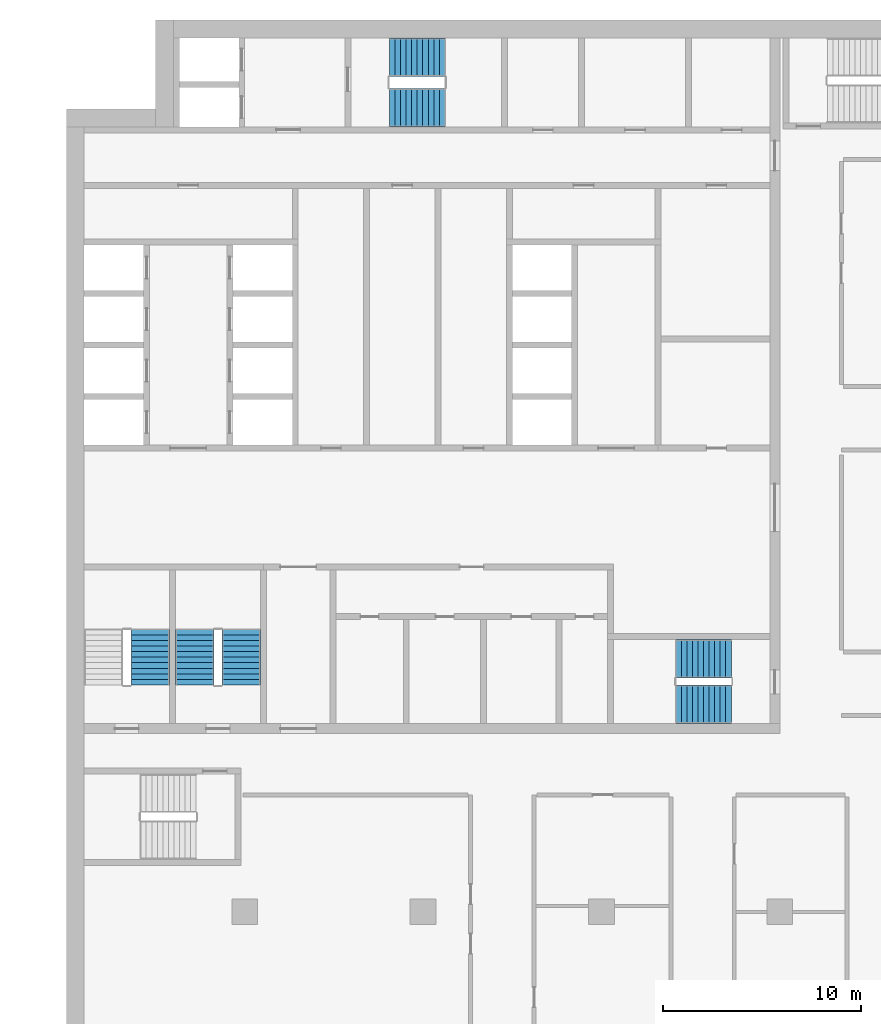
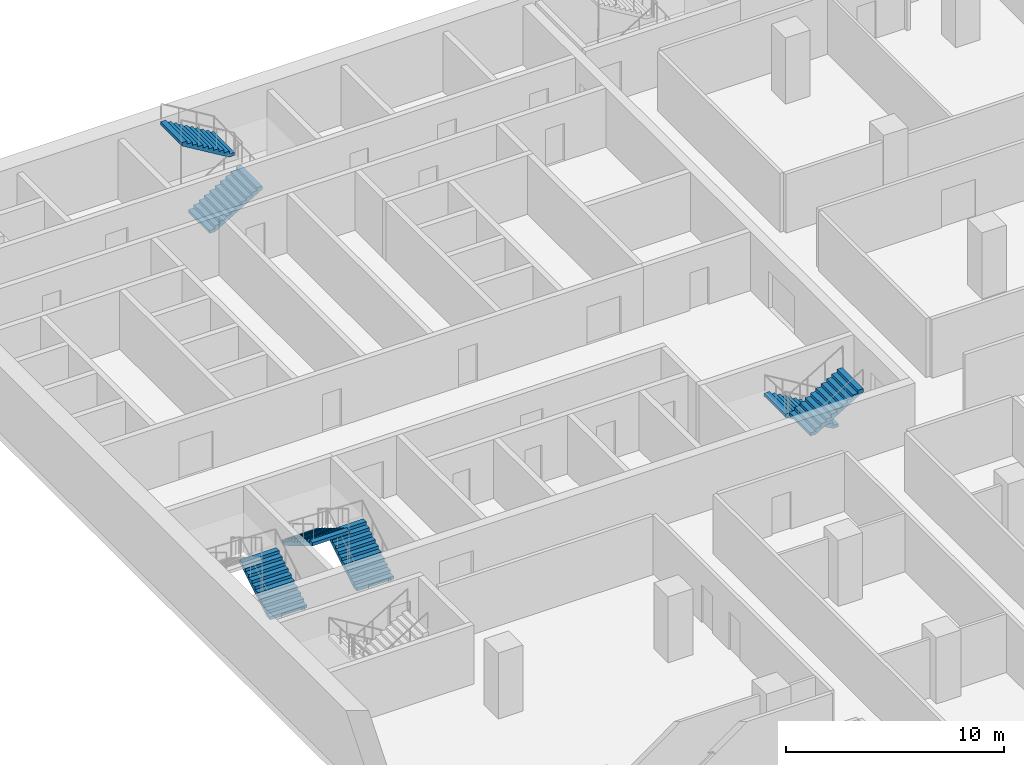
# One storey, part 17 of 23: 7 stair flights, 4 elements without a shape of their own.
"""IFC4 building model written with IfcOpenShell, lengths in metres."""

from ifc_helpers import new_model, si_unit, direction, frame, origin, place, context, subcontext, project, spatial, polyline, outline, extrude, material, type_object, element, aggregate, save


model = new_model("IFC4")

# Units and contexts
model_context = context("Model", 3, precision=1e-05, world=origin(), true_north=direction((0.0, 1.0)))
body_context = subcontext(model_context, "Body", "Model", "MODEL_VIEW")
ifc_project = project(units=[si_unit("LENGTHUNIT", "METRE"), si_unit("AREAUNIT", "SQUARE_METRE"), si_unit("VOLUMEUNIT", "CUBIC_METRE"), si_unit("PLANEANGLEUNIT", "RADIAN"), si_unit("MASSUNIT", "GRAM", prefix="KILO")], contexts=[model_context])

# Site, building, storey
site_placement = place(None, origin())
site = spatial("IfcSite", under=ifc_project, at=site_placement, CompositionType="ELEMENT")
building_placement = place(site_placement, origin())
building = spatial("IfcBuilding", under=site, at=building_placement, Name="Hunhe Ridgeline Campus", CompositionType="ELEMENT")
storey_placement = place(building_placement, frame((0.0, 0.0, 121.800048828125)))
storey = spatial("IfcBuildingStorey", under=building, at=storey_placement, Name="L30", CompositionType="ELEMENT", Elevation=121.800048828125)

# Stair, stair flights
ifc_material = material(Name="Concrete C40", Category="concrete")
stair_type = type_object("IfcStairType", Name="Reinforced concrete dog-leg stair 1950 Concrete C40", PredefinedType="HALF_TURN_STAIR", material=ifc_material)
stair_1_placement = place(storey_placement, origin())
stair_1 = element("IfcStair", 1, at=stair_1_placement, inside=storey, type_object=stair_type, Name="L30 S1", PredefinedType="HALF_TURN_STAIR")
stair_flight_type = type_object("IfcStairFlightType", Name="Reinforced concrete stair flight 1950 Concrete C40", PredefinedType="STRAIGHT", material=ifc_material)
stair_flight_1_placement = place(storey_placement, frame((16.300048828125, 94.574951171875, 0.0), z_axis=(0.0, 0.0, 1.0), x_axis=(1.0, 0.0, 0.0)))
stair_flight_1 = element("IfcStairFlight", 2, at=stair_flight_1_placement, type_object=stair_flight_type, Name="ST1 flight 1", NumberOfRisers=11, NumberOfTreads=10, PredefinedType="STRAIGHT", RiserHeight=0.168181818, TreadLength=0.28, context=body_context, shape_type="SweptSolid", body=[
    extrude(outline(polyline([(0.0, 0.0), (0.0, 0.168212890625), (0.280029296875, 0.168212890625), (0.280029296875, 0.33642578125), (0.56005859375, 0.33642578125), (0.56005859375, 0.504638671875), (0.840087890625, 0.504638671875), (0.840087890625, 0.672607421875), (1.1201171875, 0.672607421875), (1.1201171875, 0.8408203125), (1.39990234375, 0.8408203125), (1.39990234375, 1.009033203125), (1.679931640625, 1.009033203125), (1.679931640625, 1.17724609375), (1.9599609375, 1.17724609375), (1.9599609375, 1.345458984375), (2.239990234375, 1.345458984375), (2.239990234375, 1.513671875), (2.52001953125, 1.513671875), (2.52001953125, 1.681884765625), (2.800048828125, 1.681884765625), (2.800048828125, 1.85009765625), (2.800048828125, 1.5068359375), (0.291015625, 0.0), (0.0, 0.0)])), frame((0.0, 0.97509765625, 0.0), z_axis=(0.0, -1.0, 0.0), x_axis=(1.0, 0.0, 0.0)), (0.0, 0.0, 1.0), 1.949951171875),
    extrude(outline(polyline([(0.030029296875, 0.030029296875), (0.030029296875, 0.13818359375), (0.31005859375, 0.13818359375), (0.31005859375, 0.306396484375), (0.590087890625, 0.306396484375), (0.590087890625, 0.474609375), (0.8701171875, 0.474609375), (0.8701171875, 0.642578125), (1.14990234375, 0.642578125), (1.14990234375, 0.810791015625), (1.429931640625, 0.810791015625), (1.429931640625, 0.97900390625), (1.7099609375, 0.97900390625), (1.7099609375, 1.147216796875), (1.989990234375, 1.147216796875), (1.989990234375, 1.3154296875), (2.27001953125, 1.3154296875), (2.27001953125, 1.483642578125), (2.550048828125, 1.483642578125), (2.550048828125, 1.65185546875), (2.77001953125, 1.65185546875), (2.77001953125, 1.52392578125), (0.28271484375, 0.030029296875), (0.030029296875, 0.030029296875)])), frame((0.0, -0.070068359375, 0.0), z_axis=(0.0, -1.0, 0.0), x_axis=(1.0, 0.0, 0.0)), (0.0, 0.0, 1.0), 0.019775390625),
    extrude(outline(polyline([(0.030029296875, 0.030029296875), (0.030029296875, 0.13818359375), (0.31005859375, 0.13818359375), (0.31005859375, 0.306396484375), (0.590087890625, 0.306396484375), (0.590087890625, 0.474609375), (0.8701171875, 0.474609375), (0.8701171875, 0.642578125), (1.14990234375, 0.642578125), (1.14990234375, 0.810791015625), (1.429931640625, 0.810791015625), (1.429931640625, 0.97900390625), (1.7099609375, 0.97900390625), (1.7099609375, 1.147216796875), (1.989990234375, 1.147216796875), (1.989990234375, 1.3154296875), (2.27001953125, 1.3154296875), (2.27001953125, 1.483642578125), (2.550048828125, 1.483642578125), (2.550048828125, 1.65185546875), (2.77001953125, 1.65185546875), (2.77001953125, 1.52392578125), (0.28271484375, 0.030029296875), (0.030029296875, 0.030029296875)])), frame((0.0, 0.010009765625, 0.0), z_axis=(0.0, -1.0, 0.0), x_axis=(1.0, 0.0, 0.0)), (0.0, 0.0, 1.0), 0.019775390625),
    extrude(outline(polyline([(0.030029296875, 0.030029296875), (0.030029296875, 0.13818359375), (0.31005859375, 0.13818359375), (0.31005859375, 0.306396484375), (0.590087890625, 0.306396484375), (0.590087890625, 0.474609375), (0.8701171875, 0.474609375), (0.8701171875, 0.642578125), (1.14990234375, 0.642578125), (1.14990234375, 0.810791015625), (1.429931640625, 0.810791015625), (1.429931640625, 0.97900390625), (1.7099609375, 0.97900390625), (1.7099609375, 1.147216796875), (1.989990234375, 1.147216796875), (1.989990234375, 1.3154296875), (2.27001953125, 1.3154296875), (2.27001953125, 1.483642578125), (2.550048828125, 1.483642578125), (2.550048828125, 1.65185546875), (2.77001953125, 1.65185546875), (2.77001953125, 1.52392578125), (0.28271484375, 0.030029296875), (0.030029296875, 0.030029296875)])), frame((0.0, 0.090087890625, 0.0), z_axis=(0.0, -1.0, 0.0), x_axis=(1.0, 0.0, 0.0)), (0.0, 0.0, 1.0), 0.019775390625),
])
stair_flight_2_placement = place(storey_placement, frame((19.10009765625, 97.125, 1.849853515625), z_axis=(0.0, 0.0, 1.0), x_axis=(-1.0, 0.0, 0.0)))
stair_flight_2 = element("IfcStairFlight", 3, at=stair_flight_2_placement, type_object=stair_flight_type, Name="ST1 flight 2", NumberOfRisers=11, NumberOfTreads=10, PredefinedType="STRAIGHT", RiserHeight=0.168181818, TreadLength=0.28, context=body_context, shape_type="SweptSolid", body=[
    extrude(outline(polyline([(0.0, 0.0), (0.0, 0.168212890625), (0.280029296875, 0.168212890625), (0.280029296875, 0.33642578125), (0.56005859375, 0.33642578125), (0.56005859375, 0.504638671875), (0.840087890625, 0.504638671875), (0.840087890625, 0.672607421875), (1.1201171875, 0.672607421875), (1.1201171875, 0.8408203125), (1.39990234375, 0.8408203125), (1.39990234375, 1.009033203125), (1.679931640625, 1.009033203125), (1.679931640625, 1.17724609375), (1.9599609375, 1.17724609375), (1.9599609375, 1.345458984375), (2.239990234375, 1.345458984375), (2.239990234375, 1.513671875), (2.52001953125, 1.513671875), (2.52001953125, 1.681884765625), (2.800048828125, 1.681884765625), (2.800048828125, 1.85009765625), (2.800048828125, 1.5068359375), (0.291015625, 0.0), (0.0, 0.0)])), frame((0.0, 0.97509765625, 0.0), z_axis=(0.0, -1.0, 0.0), x_axis=(1.0, 0.0, 0.0)), (0.0, 0.0, 1.0), 1.949951171875),
    extrude(outline(polyline([(0.030029296875, 0.030029296875), (0.030029296875, 0.13818359375), (0.31005859375, 0.13818359375), (0.31005859375, 0.306396484375), (0.590087890625, 0.306396484375), (0.590087890625, 0.474609375), (0.8701171875, 0.474609375), (0.8701171875, 0.642578125), (1.14990234375, 0.642578125), (1.14990234375, 0.810791015625), (1.429931640625, 0.810791015625), (1.429931640625, 0.97900390625), (1.7099609375, 0.97900390625), (1.7099609375, 1.147216796875), (1.989990234375, 1.147216796875), (1.989990234375, 1.3154296875), (2.27001953125, 1.3154296875), (2.27001953125, 1.483642578125), (2.550048828125, 1.483642578125), (2.550048828125, 1.65185546875), (2.77001953125, 1.65185546875), (2.77001953125, 1.52392578125), (0.28271484375, 0.030029296875), (0.030029296875, 0.030029296875)])), frame((0.0, -0.070068359375, 0.0), z_axis=(0.0, -1.0, 0.0), x_axis=(1.0, 0.0, 0.0)), (0.0, 0.0, 1.0), 0.019775390625),
    extrude(outline(polyline([(0.030029296875, 0.030029296875), (0.030029296875, 0.13818359375), (0.31005859375, 0.13818359375), (0.31005859375, 0.306396484375), (0.590087890625, 0.306396484375), (0.590087890625, 0.474609375), (0.8701171875, 0.474609375), (0.8701171875, 0.642578125), (1.14990234375, 0.642578125), (1.14990234375, 0.810791015625), (1.429931640625, 0.810791015625), (1.429931640625, 0.97900390625), (1.7099609375, 0.97900390625), (1.7099609375, 1.147216796875), (1.989990234375, 1.147216796875), (1.989990234375, 1.3154296875), (2.27001953125, 1.3154296875), (2.27001953125, 1.483642578125), (2.550048828125, 1.483642578125), (2.550048828125, 1.65185546875), (2.77001953125, 1.65185546875), (2.77001953125, 1.52392578125), (0.28271484375, 0.030029296875), (0.030029296875, 0.030029296875)])), frame((0.0, 0.010009765625, 0.0), z_axis=(0.0, -1.0, 0.0), x_axis=(1.0, 0.0, 0.0)), (0.0, 0.0, 1.0), 0.019775390625),
    extrude(outline(polyline([(0.030029296875, 0.030029296875), (0.030029296875, 0.13818359375), (0.31005859375, 0.13818359375), (0.31005859375, 0.306396484375), (0.590087890625, 0.306396484375), (0.590087890625, 0.474609375), (0.8701171875, 0.474609375), (0.8701171875, 0.642578125), (1.14990234375, 0.642578125), (1.14990234375, 0.810791015625), (1.429931640625, 0.810791015625), (1.429931640625, 0.97900390625), (1.7099609375, 0.97900390625), (1.7099609375, 1.147216796875), (1.989990234375, 1.147216796875), (1.989990234375, 1.3154296875), (2.27001953125, 1.3154296875), (2.27001953125, 1.483642578125), (2.550048828125, 1.483642578125), (2.550048828125, 1.65185546875), (2.77001953125, 1.65185546875), (2.77001953125, 1.52392578125), (0.28271484375, 0.030029296875), (0.030029296875, 0.030029296875)])), frame((0.0, 0.090087890625, 0.0), z_axis=(0.0, -1.0, 0.0), x_axis=(1.0, 0.0, 0.0)), (0.0, 0.0, 1.0), 0.019775390625),
])
aggregate(stair_1, [stair_flight_1, stair_flight_2])

stair_2_placement = place(storey_placement, origin())
stair_2 = element("IfcStair", 4, at=stair_2_placement, inside=storey, type_object=stair_type, Name="L30 S2", PredefinedType="HALF_TURN_STAIR")
stair_flight_3_placement = place(storey_placement, frame((33.550048828125, 66.77490234375, 0.0), z_axis=(0.0, 0.0, 1.0), x_axis=(-1.0, 0.0, 0.0)))
stair_flight_3 = element("IfcStairFlight", 5, at=stair_flight_3_placement, type_object=stair_flight_type, Name="ST2 flight 1", NumberOfRisers=11, NumberOfTreads=10, PredefinedType="STRAIGHT", RiserHeight=0.168181818, TreadLength=0.28, context=body_context, shape_type="SweptSolid", body=[
    extrude(outline(polyline([(0.0, 0.0), (0.0, 0.168212890625), (0.280029296875, 0.168212890625), (0.280029296875, 0.33642578125), (0.56005859375, 0.33642578125), (0.56005859375, 0.504638671875), (0.840087890625, 0.504638671875), (0.840087890625, 0.672607421875), (1.1201171875, 0.672607421875), (1.1201171875, 0.8408203125), (1.39990234375, 0.8408203125), (1.39990234375, 1.009033203125), (1.679931640625, 1.009033203125), (1.679931640625, 1.17724609375), (1.9599609375, 1.17724609375), (1.9599609375, 1.345458984375), (2.239990234375, 1.345458984375), (2.239990234375, 1.513671875), (2.52001953125, 1.513671875), (2.52001953125, 1.681884765625), (2.800048828125, 1.681884765625), (2.800048828125, 1.85009765625), (2.800048828125, 1.5068359375), (0.291015625, 0.0), (0.0, 0.0)])), frame((0.0, 0.97509765625, 0.0), z_axis=(0.0, -1.0, 0.0), x_axis=(1.0, 0.0, 0.0)), (0.0, 0.0, 1.0), 1.949951171875),
    extrude(outline(polyline([(0.030029296875, 0.030029296875), (0.030029296875, 0.13818359375), (0.31005859375, 0.13818359375), (0.31005859375, 0.306396484375), (0.590087890625, 0.306396484375), (0.590087890625, 0.474609375), (0.8701171875, 0.474609375), (0.8701171875, 0.642578125), (1.14990234375, 0.642578125), (1.14990234375, 0.810791015625), (1.429931640625, 0.810791015625), (1.429931640625, 0.97900390625), (1.7099609375, 0.97900390625), (1.7099609375, 1.147216796875), (1.989990234375, 1.147216796875), (1.989990234375, 1.3154296875), (2.27001953125, 1.3154296875), (2.27001953125, 1.483642578125), (2.550048828125, 1.483642578125), (2.550048828125, 1.65185546875), (2.77001953125, 1.65185546875), (2.77001953125, 1.52392578125), (0.28271484375, 0.030029296875), (0.030029296875, 0.030029296875)])), frame((0.0, -0.070068359375, 0.0), z_axis=(0.0, -1.0, 0.0), x_axis=(1.0, 0.0, 0.0)), (0.0, 0.0, 1.0), 0.019775390625),
    extrude(outline(polyline([(0.030029296875, 0.030029296875), (0.030029296875, 0.13818359375), (0.31005859375, 0.13818359375), (0.31005859375, 0.306396484375), (0.590087890625, 0.306396484375), (0.590087890625, 0.474609375), (0.8701171875, 0.474609375), (0.8701171875, 0.642578125), (1.14990234375, 0.642578125), (1.14990234375, 0.810791015625), (1.429931640625, 0.810791015625), (1.429931640625, 0.97900390625), (1.7099609375, 0.97900390625), (1.7099609375, 1.147216796875), (1.989990234375, 1.147216796875), (1.989990234375, 1.3154296875), (2.27001953125, 1.3154296875), (2.27001953125, 1.483642578125), (2.550048828125, 1.483642578125), (2.550048828125, 1.65185546875), (2.77001953125, 1.65185546875), (2.77001953125, 1.52392578125), (0.28271484375, 0.030029296875), (0.030029296875, 0.030029296875)])), frame((0.0, 0.010009765625, 0.0), z_axis=(0.0, -1.0, 0.0), x_axis=(1.0, 0.0, 0.0)), (0.0, 0.0, 1.0), 0.019775390625),
    extrude(outline(polyline([(0.030029296875, 0.030029296875), (0.030029296875, 0.13818359375), (0.31005859375, 0.13818359375), (0.31005859375, 0.306396484375), (0.590087890625, 0.306396484375), (0.590087890625, 0.474609375), (0.8701171875, 0.474609375), (0.8701171875, 0.642578125), (1.14990234375, 0.642578125), (1.14990234375, 0.810791015625), (1.429931640625, 0.810791015625), (1.429931640625, 0.97900390625), (1.7099609375, 0.97900390625), (1.7099609375, 1.147216796875), (1.989990234375, 1.147216796875), (1.989990234375, 1.3154296875), (2.27001953125, 1.3154296875), (2.27001953125, 1.483642578125), (2.550048828125, 1.483642578125), (2.550048828125, 1.65185546875), (2.77001953125, 1.65185546875), (2.77001953125, 1.52392578125), (0.28271484375, 0.030029296875), (0.030029296875, 0.030029296875)])), frame((0.0, 0.090087890625, 0.0), z_axis=(0.0, -1.0, 0.0), x_axis=(1.0, 0.0, 0.0)), (0.0, 0.0, 1.0), 0.019775390625),
])
stair_flight_4_placement = place(storey_placement, frame((30.75, 64.47509765625, 1.849853515625), z_axis=(0.0, 0.0, 1.0), x_axis=(1.0, 0.0, 0.0)))
stair_flight_4 = element("IfcStairFlight", 6, at=stair_flight_4_placement, type_object=stair_flight_type, Name="ST2 flight 2", NumberOfRisers=11, NumberOfTreads=10, PredefinedType="STRAIGHT", RiserHeight=0.168181818, TreadLength=0.28, context=body_context, shape_type="SweptSolid", body=[
    extrude(outline(polyline([(0.0, 0.0), (0.0, 0.168212890625), (0.280029296875, 0.168212890625), (0.280029296875, 0.33642578125), (0.56005859375, 0.33642578125), (0.56005859375, 0.504638671875), (0.840087890625, 0.504638671875), (0.840087890625, 0.672607421875), (1.1201171875, 0.672607421875), (1.1201171875, 0.8408203125), (1.39990234375, 0.8408203125), (1.39990234375, 1.009033203125), (1.679931640625, 1.009033203125), (1.679931640625, 1.17724609375), (1.9599609375, 1.17724609375), (1.9599609375, 1.345458984375), (2.239990234375, 1.345458984375), (2.239990234375, 1.513671875), (2.52001953125, 1.513671875), (2.52001953125, 1.681884765625), (2.800048828125, 1.681884765625), (2.800048828125, 1.85009765625), (2.800048828125, 1.5068359375), (0.291015625, 0.0), (0.0, 0.0)])), frame((0.0, 0.97509765625, 0.0), z_axis=(0.0, -1.0, 0.0), x_axis=(1.0, 0.0, 0.0)), (0.0, 0.0, 1.0), 1.949951171875),
    extrude(outline(polyline([(0.030029296875, 0.030029296875), (0.030029296875, 0.13818359375), (0.31005859375, 0.13818359375), (0.31005859375, 0.306396484375), (0.590087890625, 0.306396484375), (0.590087890625, 0.474609375), (0.8701171875, 0.474609375), (0.8701171875, 0.642578125), (1.14990234375, 0.642578125), (1.14990234375, 0.810791015625), (1.429931640625, 0.810791015625), (1.429931640625, 0.97900390625), (1.7099609375, 0.97900390625), (1.7099609375, 1.147216796875), (1.989990234375, 1.147216796875), (1.989990234375, 1.3154296875), (2.27001953125, 1.3154296875), (2.27001953125, 1.483642578125), (2.550048828125, 1.483642578125), (2.550048828125, 1.65185546875), (2.77001953125, 1.65185546875), (2.77001953125, 1.52392578125), (0.28271484375, 0.030029296875), (0.030029296875, 0.030029296875)])), frame((0.0, -0.070068359375, 0.0), z_axis=(0.0, -1.0, 0.0), x_axis=(1.0, 0.0, 0.0)), (0.0, 0.0, 1.0), 0.019775390625),
    extrude(outline(polyline([(0.030029296875, 0.030029296875), (0.030029296875, 0.13818359375), (0.31005859375, 0.13818359375), (0.31005859375, 0.306396484375), (0.590087890625, 0.306396484375), (0.590087890625, 0.474609375), (0.8701171875, 0.474609375), (0.8701171875, 0.642578125), (1.14990234375, 0.642578125), (1.14990234375, 0.810791015625), (1.429931640625, 0.810791015625), (1.429931640625, 0.97900390625), (1.7099609375, 0.97900390625), (1.7099609375, 1.147216796875), (1.989990234375, 1.147216796875), (1.989990234375, 1.3154296875), (2.27001953125, 1.3154296875), (2.27001953125, 1.483642578125), (2.550048828125, 1.483642578125), (2.550048828125, 1.65185546875), (2.77001953125, 1.65185546875), (2.77001953125, 1.52392578125), (0.28271484375, 0.030029296875), (0.030029296875, 0.030029296875)])), frame((0.0, 0.010009765625, 0.0), z_axis=(0.0, -1.0, 0.0), x_axis=(1.0, 0.0, 0.0)), (0.0, 0.0, 1.0), 0.019775390625),
    extrude(outline(polyline([(0.030029296875, 0.030029296875), (0.030029296875, 0.13818359375), (0.31005859375, 0.13818359375), (0.31005859375, 0.306396484375), (0.590087890625, 0.306396484375), (0.590087890625, 0.474609375), (0.8701171875, 0.474609375), (0.8701171875, 0.642578125), (1.14990234375, 0.642578125), (1.14990234375, 0.810791015625), (1.429931640625, 0.810791015625), (1.429931640625, 0.97900390625), (1.7099609375, 0.97900390625), (1.7099609375, 1.147216796875), (1.989990234375, 1.147216796875), (1.989990234375, 1.3154296875), (2.27001953125, 1.3154296875), (2.27001953125, 1.483642578125), (2.550048828125, 1.483642578125), (2.550048828125, 1.65185546875), (2.77001953125, 1.65185546875), (2.77001953125, 1.52392578125), (0.28271484375, 0.030029296875), (0.030029296875, 0.030029296875)])), frame((0.0, 0.090087890625, 0.0), z_axis=(0.0, -1.0, 0.0), x_axis=(1.0, 0.0, 0.0)), (0.0, 0.0, 1.0), 0.019775390625),
])
aggregate(stair_2, [stair_flight_3, stair_flight_4])

# Stair, stair flight
stair_3_placement = place(storey_placement, origin())
stair_3 = element("IfcStair", 7, at=stair_3_placement, inside=storey, type_object=stair_type, Name="L30 S3", PredefinedType="HALF_TURN_STAIR")
stair_flight_5_placement = place(storey_placement, frame((4.22509765625, 65.449951171875, 0.0), z_axis=(0.0, 0.0, 1.0), x_axis=(0.0, 1.0, 0.0)))
stair_flight_5 = element("IfcStairFlight", 8, at=stair_flight_5_placement, type_object=stair_flight_type, Name="ST3 flight 1", NumberOfRisers=11, NumberOfTreads=10, PredefinedType="STRAIGHT", RiserHeight=0.168181818, TreadLength=0.28, context=body_context, shape_type="SweptSolid", body=[
    extrude(outline(polyline([(0.0, 0.0), (0.0, 0.168212890625), (0.280029296875, 0.168212890625), (0.280029296875, 0.33642578125), (0.56005859375, 0.33642578125), (0.56005859375, 0.504638671875), (0.840087890625, 0.504638671875), (0.840087890625, 0.672607421875), (1.1201171875, 0.672607421875), (1.1201171875, 0.8408203125), (1.39990234375, 0.8408203125), (1.39990234375, 1.009033203125), (1.679931640625, 1.009033203125), (1.679931640625, 1.17724609375), (1.9599609375, 1.17724609375), (1.9599609375, 1.345458984375), (2.239990234375, 1.345458984375), (2.239990234375, 1.513671875), (2.52001953125, 1.513671875), (2.52001953125, 1.681884765625), (2.800048828125, 1.681884765625), (2.800048828125, 1.85009765625), (2.800048828125, 1.5068359375), (0.291015625, 0.0), (0.0, 0.0)])), frame((0.0, 0.97509765625, 0.0), z_axis=(0.0, -1.0, 0.0), x_axis=(1.0, 0.0, 0.0)), (0.0, 0.0, 1.0), 1.949951171875),
    extrude(outline(polyline([(0.030029296875, 0.030029296875), (0.030029296875, 0.13818359375), (0.31005859375, 0.13818359375), (0.31005859375, 0.306396484375), (0.590087890625, 0.306396484375), (0.590087890625, 0.474609375), (0.8701171875, 0.474609375), (0.8701171875, 0.642578125), (1.14990234375, 0.642578125), (1.14990234375, 0.810791015625), (1.429931640625, 0.810791015625), (1.429931640625, 0.97900390625), (1.7099609375, 0.97900390625), (1.7099609375, 1.147216796875), (1.989990234375, 1.147216796875), (1.989990234375, 1.3154296875), (2.27001953125, 1.3154296875), (2.27001953125, 1.483642578125), (2.550048828125, 1.483642578125), (2.550048828125, 1.65185546875), (2.77001953125, 1.65185546875), (2.77001953125, 1.52392578125), (0.28271484375, 0.030029296875), (0.030029296875, 0.030029296875)])), frame((0.0, -0.070068359375, 0.0), z_axis=(0.0, -1.0, 0.0), x_axis=(1.0, 0.0, 0.0)), (0.0, 0.0, 1.0), 0.019775390625),
    extrude(outline(polyline([(0.030029296875, 0.030029296875), (0.030029296875, 0.13818359375), (0.31005859375, 0.13818359375), (0.31005859375, 0.306396484375), (0.590087890625, 0.306396484375), (0.590087890625, 0.474609375), (0.8701171875, 0.474609375), (0.8701171875, 0.642578125), (1.14990234375, 0.642578125), (1.14990234375, 0.810791015625), (1.429931640625, 0.810791015625), (1.429931640625, 0.97900390625), (1.7099609375, 0.97900390625), (1.7099609375, 1.147216796875), (1.989990234375, 1.147216796875), (1.989990234375, 1.3154296875), (2.27001953125, 1.3154296875), (2.27001953125, 1.483642578125), (2.550048828125, 1.483642578125), (2.550048828125, 1.65185546875), (2.77001953125, 1.65185546875), (2.77001953125, 1.52392578125), (0.28271484375, 0.030029296875), (0.030029296875, 0.030029296875)])), frame((0.0, 0.010009765625, 0.0), z_axis=(0.0, -1.0, 0.0), x_axis=(1.0, 0.0, 0.0)), (0.0, 0.0, 1.0), 0.019775390625),
    extrude(outline(polyline([(0.030029296875, 0.030029296875), (0.030029296875, 0.13818359375), (0.31005859375, 0.13818359375), (0.31005859375, 0.306396484375), (0.590087890625, 0.306396484375), (0.590087890625, 0.474609375), (0.8701171875, 0.474609375), (0.8701171875, 0.642578125), (1.14990234375, 0.642578125), (1.14990234375, 0.810791015625), (1.429931640625, 0.810791015625), (1.429931640625, 0.97900390625), (1.7099609375, 0.97900390625), (1.7099609375, 1.147216796875), (1.989990234375, 1.147216796875), (1.989990234375, 1.3154296875), (2.27001953125, 1.3154296875), (2.27001953125, 1.483642578125), (2.550048828125, 1.483642578125), (2.550048828125, 1.65185546875), (2.77001953125, 1.65185546875), (2.77001953125, 1.52392578125), (0.28271484375, 0.030029296875), (0.030029296875, 0.030029296875)])), frame((0.0, 0.090087890625, 0.0), z_axis=(0.0, -1.0, 0.0), x_axis=(1.0, 0.0, 0.0)), (0.0, 0.0, 1.0), 0.019775390625),
])
aggregate(stair_3, [stair_flight_5])

# Stair, stair flights
stair_4_placement = place(storey_placement, origin())
stair_4 = element("IfcStair", 9, at=stair_4_placement, inside=storey, type_object=stair_type, Name="L30 S4", PredefinedType="HALF_TURN_STAIR")
stair_flight_6_placement = place(storey_placement, frame((8.824951171875, 65.449951171875, 0.0), z_axis=(0.0, 0.0, 1.0), x_axis=(0.0, 1.0, 0.0)))
stair_flight_6 = element("IfcStairFlight", 10, at=stair_flight_6_placement, type_object=stair_flight_type, Name="ST4 flight 1", NumberOfRisers=11, NumberOfTreads=10, PredefinedType="STRAIGHT", RiserHeight=0.168181818, TreadLength=0.28, context=body_context, shape_type="SweptSolid", body=[
    extrude(outline(polyline([(0.0, 0.0), (0.0, 0.168212890625), (0.280029296875, 0.168212890625), (0.280029296875, 0.33642578125), (0.56005859375, 0.33642578125), (0.56005859375, 0.504638671875), (0.840087890625, 0.504638671875), (0.840087890625, 0.672607421875), (1.1201171875, 0.672607421875), (1.1201171875, 0.8408203125), (1.39990234375, 0.8408203125), (1.39990234375, 1.009033203125), (1.679931640625, 1.009033203125), (1.679931640625, 1.17724609375), (1.9599609375, 1.17724609375), (1.9599609375, 1.345458984375), (2.239990234375, 1.345458984375), (2.239990234375, 1.513671875), (2.52001953125, 1.513671875), (2.52001953125, 1.681884765625), (2.800048828125, 1.681884765625), (2.800048828125, 1.85009765625), (2.800048828125, 1.5068359375), (0.291015625, 0.0), (0.0, 0.0)])), frame((0.0, 0.97509765625, 0.0), z_axis=(0.0, -1.0, 0.0), x_axis=(1.0, 0.0, 0.0)), (0.0, 0.0, 1.0), 1.949951171875),
    extrude(outline(polyline([(0.030029296875, 0.030029296875), (0.030029296875, 0.13818359375), (0.31005859375, 0.13818359375), (0.31005859375, 0.306396484375), (0.590087890625, 0.306396484375), (0.590087890625, 0.474609375), (0.8701171875, 0.474609375), (0.8701171875, 0.642578125), (1.14990234375, 0.642578125), (1.14990234375, 0.810791015625), (1.429931640625, 0.810791015625), (1.429931640625, 0.97900390625), (1.7099609375, 0.97900390625), (1.7099609375, 1.147216796875), (1.989990234375, 1.147216796875), (1.989990234375, 1.3154296875), (2.27001953125, 1.3154296875), (2.27001953125, 1.483642578125), (2.550048828125, 1.483642578125), (2.550048828125, 1.65185546875), (2.77001953125, 1.65185546875), (2.77001953125, 1.52392578125), (0.28271484375, 0.030029296875), (0.030029296875, 0.030029296875)])), frame((0.0, -0.070068359375, 0.0), z_axis=(0.0, -1.0, 0.0), x_axis=(1.0, 0.0, 0.0)), (0.0, 0.0, 1.0), 0.019775390625),
    extrude(outline(polyline([(0.030029296875, 0.030029296875), (0.030029296875, 0.13818359375), (0.31005859375, 0.13818359375), (0.31005859375, 0.306396484375), (0.590087890625, 0.306396484375), (0.590087890625, 0.474609375), (0.8701171875, 0.474609375), (0.8701171875, 0.642578125), (1.14990234375, 0.642578125), (1.14990234375, 0.810791015625), (1.429931640625, 0.810791015625), (1.429931640625, 0.97900390625), (1.7099609375, 0.97900390625), (1.7099609375, 1.147216796875), (1.989990234375, 1.147216796875), (1.989990234375, 1.3154296875), (2.27001953125, 1.3154296875), (2.27001953125, 1.483642578125), (2.550048828125, 1.483642578125), (2.550048828125, 1.65185546875), (2.77001953125, 1.65185546875), (2.77001953125, 1.52392578125), (0.28271484375, 0.030029296875), (0.030029296875, 0.030029296875)])), frame((0.0, 0.010009765625, 0.0), z_axis=(0.0, -1.0, 0.0), x_axis=(1.0, 0.0, 0.0)), (0.0, 0.0, 1.0), 0.019775390625),
    extrude(outline(polyline([(0.030029296875, 0.030029296875), (0.030029296875, 0.13818359375), (0.31005859375, 0.13818359375), (0.31005859375, 0.306396484375), (0.590087890625, 0.306396484375), (0.590087890625, 0.474609375), (0.8701171875, 0.474609375), (0.8701171875, 0.642578125), (1.14990234375, 0.642578125), (1.14990234375, 0.810791015625), (1.429931640625, 0.810791015625), (1.429931640625, 0.97900390625), (1.7099609375, 0.97900390625), (1.7099609375, 1.147216796875), (1.989990234375, 1.147216796875), (1.989990234375, 1.3154296875), (2.27001953125, 1.3154296875), (2.27001953125, 1.483642578125), (2.550048828125, 1.483642578125), (2.550048828125, 1.65185546875), (2.77001953125, 1.65185546875), (2.77001953125, 1.52392578125), (0.28271484375, 0.030029296875), (0.030029296875, 0.030029296875)])), frame((0.0, 0.090087890625, 0.0), z_axis=(0.0, -1.0, 0.0), x_axis=(1.0, 0.0, 0.0)), (0.0, 0.0, 1.0), 0.019775390625),
])
stair_flight_7_placement = place(storey_placement, frame((6.47509765625, 68.25, 1.849853515625), z_axis=(0.0, 0.0, 1.0), x_axis=(0.0, -1.0, 0.0)))
stair_flight_7 = element("IfcStairFlight", 11, at=stair_flight_7_placement, type_object=stair_flight_type, Name="ST4 flight 2", NumberOfRisers=11, NumberOfTreads=10, PredefinedType="STRAIGHT", RiserHeight=0.168181818, TreadLength=0.28, context=body_context, shape_type="SweptSolid", body=[
    extrude(outline(polyline([(0.0, 0.0), (0.0, 0.168212890625), (0.280029296875, 0.168212890625), (0.280029296875, 0.33642578125), (0.56005859375, 0.33642578125), (0.56005859375, 0.504638671875), (0.840087890625, 0.504638671875), (0.840087890625, 0.672607421875), (1.1201171875, 0.672607421875), (1.1201171875, 0.8408203125), (1.39990234375, 0.8408203125), (1.39990234375, 1.009033203125), (1.679931640625, 1.009033203125), (1.679931640625, 1.17724609375), (1.9599609375, 1.17724609375), (1.9599609375, 1.345458984375), (2.239990234375, 1.345458984375), (2.239990234375, 1.513671875), (2.52001953125, 1.513671875), (2.52001953125, 1.681884765625), (2.800048828125, 1.681884765625), (2.800048828125, 1.85009765625), (2.800048828125, 1.5068359375), (0.291015625, 0.0), (0.0, 0.0)])), frame((0.0, 0.97509765625, 0.0), z_axis=(0.0, -1.0, 0.0), x_axis=(1.0, 0.0, 0.0)), (0.0, 0.0, 1.0), 1.949951171875),
    extrude(outline(polyline([(0.030029296875, 0.030029296875), (0.030029296875, 0.13818359375), (0.31005859375, 0.13818359375), (0.31005859375, 0.306396484375), (0.590087890625, 0.306396484375), (0.590087890625, 0.474609375), (0.8701171875, 0.474609375), (0.8701171875, 0.642578125), (1.14990234375, 0.642578125), (1.14990234375, 0.810791015625), (1.429931640625, 0.810791015625), (1.429931640625, 0.97900390625), (1.7099609375, 0.97900390625), (1.7099609375, 1.147216796875), (1.989990234375, 1.147216796875), (1.989990234375, 1.3154296875), (2.27001953125, 1.3154296875), (2.27001953125, 1.483642578125), (2.550048828125, 1.483642578125), (2.550048828125, 1.65185546875), (2.77001953125, 1.65185546875), (2.77001953125, 1.52392578125), (0.28271484375, 0.030029296875), (0.030029296875, 0.030029296875)])), frame((0.0, -0.070068359375, 0.0), z_axis=(0.0, -1.0, 0.0), x_axis=(1.0, 0.0, 0.0)), (0.0, 0.0, 1.0), 0.019775390625),
    extrude(outline(polyline([(0.030029296875, 0.030029296875), (0.030029296875, 0.13818359375), (0.31005859375, 0.13818359375), (0.31005859375, 0.306396484375), (0.590087890625, 0.306396484375), (0.590087890625, 0.474609375), (0.8701171875, 0.474609375), (0.8701171875, 0.642578125), (1.14990234375, 0.642578125), (1.14990234375, 0.810791015625), (1.429931640625, 0.810791015625), (1.429931640625, 0.97900390625), (1.7099609375, 0.97900390625), (1.7099609375, 1.147216796875), (1.989990234375, 1.147216796875), (1.989990234375, 1.3154296875), (2.27001953125, 1.3154296875), (2.27001953125, 1.483642578125), (2.550048828125, 1.483642578125), (2.550048828125, 1.65185546875), (2.77001953125, 1.65185546875), (2.77001953125, 1.52392578125), (0.28271484375, 0.030029296875), (0.030029296875, 0.030029296875)])), frame((0.0, 0.010009765625, 0.0), z_axis=(0.0, -1.0, 0.0), x_axis=(1.0, 0.0, 0.0)), (0.0, 0.0, 1.0), 0.019775390625),
    extrude(outline(polyline([(0.030029296875, 0.030029296875), (0.030029296875, 0.13818359375), (0.31005859375, 0.13818359375), (0.31005859375, 0.306396484375), (0.590087890625, 0.306396484375), (0.590087890625, 0.474609375), (0.8701171875, 0.474609375), (0.8701171875, 0.642578125), (1.14990234375, 0.642578125), (1.14990234375, 0.810791015625), (1.429931640625, 0.810791015625), (1.429931640625, 0.97900390625), (1.7099609375, 0.97900390625), (1.7099609375, 1.147216796875), (1.989990234375, 1.147216796875), (1.989990234375, 1.3154296875), (2.27001953125, 1.3154296875), (2.27001953125, 1.483642578125), (2.550048828125, 1.483642578125), (2.550048828125, 1.65185546875), (2.77001953125, 1.65185546875), (2.77001953125, 1.52392578125), (0.28271484375, 0.030029296875), (0.030029296875, 0.030029296875)])), frame((0.0, 0.090087890625, 0.0), z_axis=(0.0, -1.0, 0.0), x_axis=(1.0, 0.0, 0.0)), (0.0, 0.0, 1.0), 0.019775390625),
])
aggregate(stair_4, [stair_flight_6, stair_flight_7])

save(model, "model.ifc")
